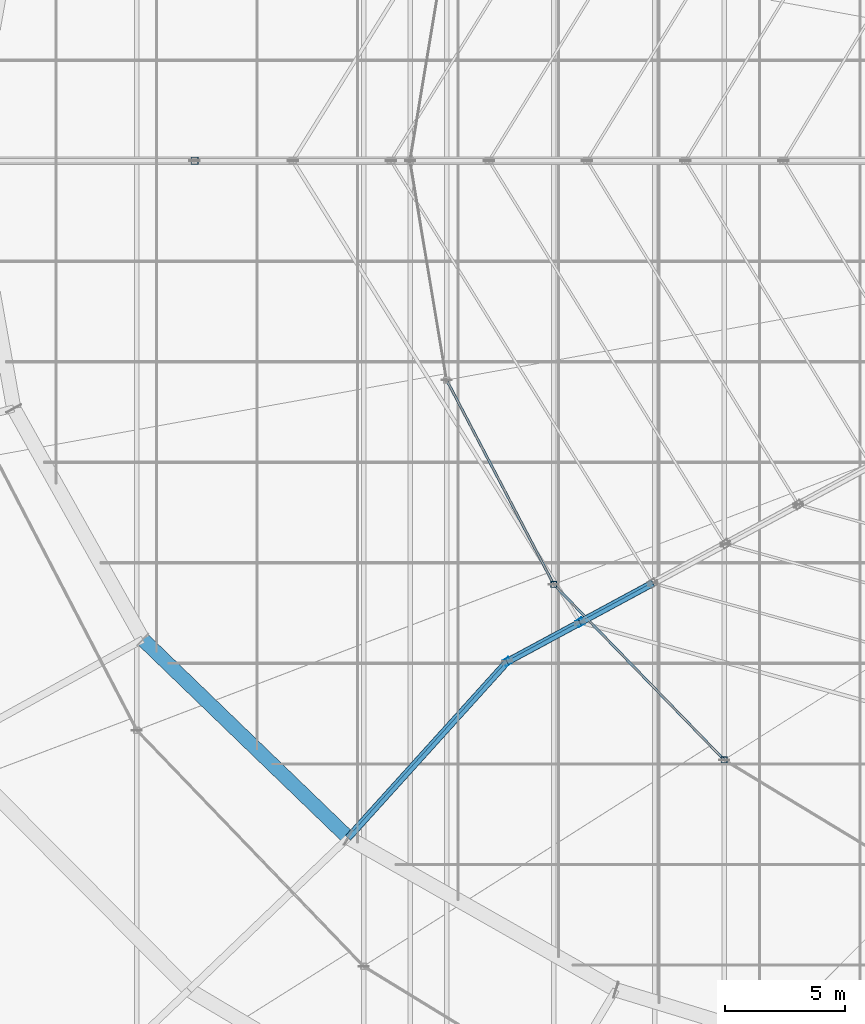
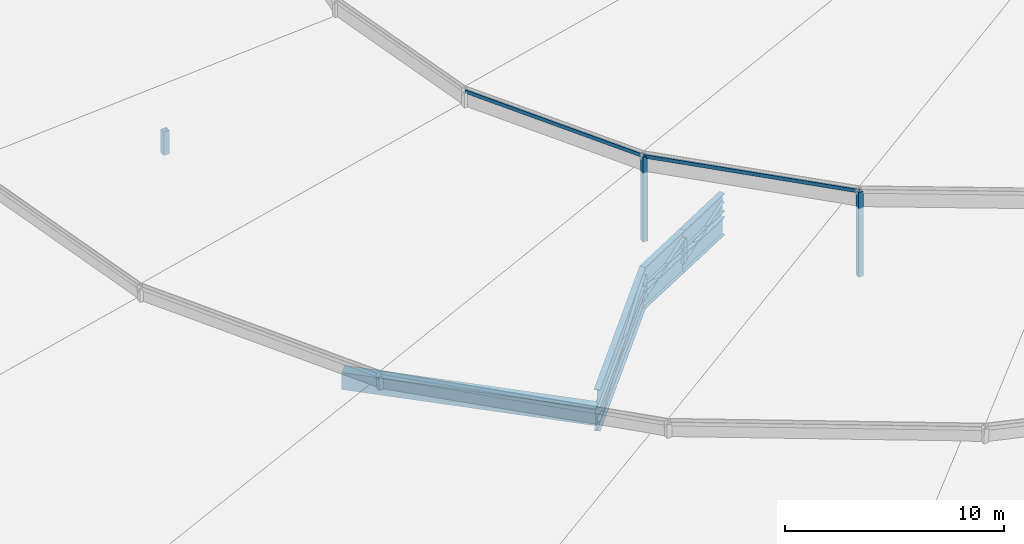
# One storey, part 9 of 184: 10 members, 7 beams.
"""IFC4 building model written with IfcOpenShell, lengths in metres."""

from ifc_helpers import new_model, si_unit, direction, frame, origin, origin_2d, place, context, subcontext, project, spatial, hollow_rectangle, i_section, extrude, material, material_profile, profile_set, type_object, element, save


model = new_model("IFC4")

# Units and contexts
model_context = context("Model", 3, precision=1e-05, world=origin(), true_north=direction((0.0, 1.0)))
body_context = subcontext(model_context, "Body", "Model", "MODEL_VIEW")
ifc_project = project(units=[si_unit("LENGTHUNIT", "METRE"), si_unit("AREAUNIT", "SQUARE_METRE"), si_unit("VOLUMEUNIT", "CUBIC_METRE"), si_unit("PLANEANGLEUNIT", "RADIAN"), si_unit("MASSUNIT", "GRAM", prefix="KILO")], contexts=[model_context])

# Site, building, storey
site_placement = place(None, origin())
site = spatial("IfcSite", under=ifc_project, at=site_placement, CompositionType="ELEMENT")
building_placement = place(site_placement, origin())
building = spatial("IfcBuilding", under=site, at=building_placement, Name="Kalgoora Escarpment Arena", CompositionType="ELEMENT")
storey_placement = place(building_placement, frame((0.0, 0.0, 27.60009765625)))
storey = spatial("IfcBuildingStorey", under=building, at=storey_placement, Name="Roof Level", CompositionType="ELEMENT", Elevation=27.60009765625)

# Beams
ifc_material_1 = material(Name="Structural steel Grade 350 (350 MPa)", Category="steel")
ifc_material_profile_1 = material_profile(ifc_material_1, hollow_rectangle(XDim=0.60009765625, YDim=0.949951171875, WallThickness=0.02490234375, at=origin_2d()))
ifc_profile_set_1 = profile_set([ifc_material_profile_1], Name="Structural steel Grade 350 (350 MPa)")
beam_type_1 = type_object("IfcBeamType", Name="BM-RING-BOX950", PredefinedType="USERDEFINED", material=ifc_profile_set_1)
beam_placement = place(storey_placement, frame((45.634521484375, 44.0, -1.25), z_axis=(0.719471992915, -0.694521454968, 0.0), x_axis=(0.694521454968, 0.719471992915, 0.0)))
element("IfcBeam", 1, at=beam_placement, inside=storey, type_object=beam_type_1, Name="Bowl compression RING BEAM chord 15", ObjectType="GIRDER", PredefinedType="USERDEFINED", context=body_context, shape_type="SweptSolid", body=[
    extrude(hollow_rectangle(XDim=0.60009765625, YDim=0.949951171875, WallThickness=0.02490234375, at=origin_2d()), origin(), (0.0, 0.0, 1.0), 11.927978515625),
])
ifc_material_2 = material(Name="Structural steel Grade 350 (350 MPa)", Category="steel")
ifc_material_profile_2 = material_profile(ifc_material_2, i_section(OverallWidth=0.300048828125, OverallDepth=1.010009765625, WebThickness=0.01611328125, FlangeThickness=0.030029296875, at=origin_2d()))
ifc_profile_set_2 = profile_set([ifc_material_profile_2], Name="Structural steel Grade 350 (350 MPa)")
beam_type_2 = type_object("IfcBeamType", Name="BM-TRUSS-CHORD", PredefinedType="USERDEFINED", material=ifc_profile_set_2)
for number, where, z_axis, x_axis, name in (
    (2, (54.208251953125, 35.706787109375, -1.7001953125), (0.670522582285, 0.741872022721, 0.005036720141), (-0.741881433009, 0.670531087539, 0.0), "Radial ROOF TRUSS spine 6 bottom chord 1"),
    (3, (54.208251953125, 35.706787109375, -0.400146484375), (0.670522582285, 0.741872022721, 0.005036720141), (-0.741881433009, 0.670531087539, 0.0), "Radial ROOF TRUSS spine 6 top chord 1"),
):
    element("IfcBeam", number, at=place(storey_placement, frame(where, z_axis=z_axis, x_axis=x_axis)), inside=storey, type_object=beam_type_2, Name=name, ObjectType="GIRDER", PredefinedType="USERDEFINED", context=body_context, shape_type="SweptSolid", body=[
        extrude(i_section(OverallWidth=0.300048828125, OverallDepth=1.010009765625, WebThickness=0.01611328125, FlangeThickness=0.030029296875, at=origin_2d()), origin(), (0.0, 0.0, 1.0), 9.936767578125),
    ])
for number, where, z_axis, x_axis, name in (
    (4, (60.852294921875, 43.06396484375, -1.650146484375), (0.880037048235, 0.474902749111, 0.001473981338), (-0.474903265004, 0.88003800423, 0.0), "Radial ROOF TRUSS spine 6 bottom chord 2"),
    (5, (60.852294921875, 43.06396484375, -0.35009765625), (0.880034360193, 0.474901298538, 0.002877764298), (-0.474903265004, 0.88003800423, 0.0), "Radial ROOF TRUSS spine 6 top chord 2"),
    (6, (63.89208984375, 44.704345703125, -1.64501953125), (0.880037137114, 0.474902797074, 0.001403791892), (-0.474903265004, 0.88003800423, 0.0), "Radial ROOF TRUSS spine 6 bottom chord 3"),
    (7, (63.89208984375, 44.704345703125, -0.340087890625), (0.880034360193, 0.474901298538, 0.002877764298), (-0.474903265004, 0.88003800423, 0.0), "Radial ROOF TRUSS spine 6 top chord 3"),
):
    element("IfcBeam", number, at=place(storey_placement, frame(where, z_axis=z_axis, x_axis=x_axis)), inside=storey, type_object=beam_type_2, Name=name, ObjectType="GIRDER", PredefinedType="USERDEFINED", context=body_context, shape_type="SweptSolid", body=[
        extrude(i_section(OverallWidth=0.300048828125, OverallDepth=1.010009765625, WebThickness=0.01611328125, FlangeThickness=0.030029296875, at=origin_2d()), origin(), (0.0, 0.0, 1.0), 3.478271484375),
    ])

# Members
ifc_material_3 = material(Name="Structural steel C450 (450 MPa)", Category="steel")
ifc_material_profile_3 = material_profile(ifc_material_3, hollow_rectangle(XDim=0.25, YDim=0.25, WallThickness=0.012451171875, at=origin_2d()))
ifc_profile_set_3 = profile_set([ifc_material_profile_3], Name="Structural steel C450 (450 MPa)")
member_type_1 = type_object("IfcMemberType", Name="MEM-PETAL-POST", PredefinedType="POST", material=ifc_profile_set_3)
for number, where, z_axis, x_axis, name in (
    (8, (62.802001953125, 46.300048828125, -1.02001953125), (0.0, 0.0, 1.0), (1.0, 0.0, 0.0), "Petal RP3 vertical support post S15"),
    (9, (69.921630859375, 38.968505859375, -1.02001953125), (0.0, 0.0, 1.0), (1.0, 0.0, 0.0), "Petal RP3 vertical support post S16"),
):
    element("IfcMember", number, at=place(storey_placement, frame(where, z_axis=z_axis, x_axis=x_axis)), inside=storey, type_object=member_type_1, Name=name, PredefinedType="POST", context=body_context, shape_type="SweptSolid", body=[
        extrude(hollow_rectangle(XDim=0.25, YDim=0.25, WallThickness=0.012451171875, at=origin_2d()), origin(), (0.0, 0.0, 1.0), 4.724853515625),
    ])
ifc_material_4 = material(Name="Structural steel C350 (350 MPa)", Category="steel")
ifc_material_profile_4 = material_profile(ifc_material_4, hollow_rectangle(XDim=0.10009765625, YDim=0.199951171875, WallThickness=0.009033203125, at=origin_2d()))
ifc_profile_set_4 = profile_set([ifc_material_profile_4], Name="Structural steel C350 (350 MPa)")
member_type_2 = type_object("IfcMemberType", Name="MEM-PURLIN-RHS", PredefinedType="PURLIN", material=ifc_profile_set_4)
member_1_placement = place(storey_placement, frame((58.326416015625, 54.837890625, 3.684814453125), z_axis=(0.464282362336, -0.885687240522, 0.0), x_axis=(0.885687240522, 0.464282362336, 0.0)))
element("IfcMember", 10, at=member_1_placement, inside=storey, type_object=member_type_2, Name="Petal RP3 eave support ring purlin S14", PredefinedType="PURLIN", context=body_context, shape_type="SweptSolid", body=[
    extrude(hollow_rectangle(XDim=0.10009765625, YDim=0.199951171875, WallThickness=0.009033203125, at=origin_2d()), origin(), (0.0, 0.0, 1.0), 9.639892578125),
])
member_2_placement = place(storey_placement, frame((62.802001953125, 46.300048828125, 3.684814453125), z_axis=(0.696662765514, -0.717398767176, 0.0), x_axis=(0.717398767176, 0.696662765514, 0.0)))
element("IfcMember", 11, at=member_2_placement, inside=storey, type_object=member_type_2, Name="Petal RP3 eave support ring purlin S15", PredefinedType="PURLIN", context=body_context, shape_type="SweptSolid", body=[
    extrude(hollow_rectangle(XDim=0.10009765625, YDim=0.199951171875, WallThickness=0.009033203125, at=origin_2d()), origin(), (0.0, 0.0, 1.0), 10.2197265625),
])
ifc_material_5 = material(Name="Structural steel C350 (350 MPa)", Category="steel")
ifc_material_profile_5 = material_profile(ifc_material_5, hollow_rectangle(XDim=0.199951171875, YDim=0.199951171875, WallThickness=0.009033203125, at=origin_2d()))
ifc_profile_set_5 = profile_set([ifc_material_profile_5], Name="Structural steel C350 (350 MPa)")
member_type_3 = type_object("IfcMemberType", Name="MEM-TRUSS-DIAG", PredefinedType="BRACE", material=ifc_profile_set_5)
member_3_placement = place(storey_placement, frame((54.21630859375, 35.7158203125, -1.7001953125), z_axis=(0.664408647738, 0.735083668632, 0.134956099981), x_axis=(-0.67335044783, 0.51041409162, 0.534861317991)))
element("IfcMember", 12, at=member_3_placement, inside=storey, type_object=member_type_3, Name="Radial ROOF TRUSS spine 6 web diagonal 1", PredefinedType="BRACE", context=body_context, shape_type="SweptSolid", body=[
    extrude(hollow_rectangle(XDim=0.199951171875, YDim=0.199951171875, WallThickness=0.009033203125, at=origin_2d()), origin(), (0.0, 0.0, 1.0), 10.00390625),
])
member_4_placement = place(storey_placement, frame((60.863037109375, 43.069580078125, -1.650146484375), z_axis=(0.822800263082, 0.44411387694, 0.354630217807), x_axis=(-0.568295685834, 0.649847314639, 0.504716238215)))
element("IfcMember", 13, at=member_4_placement, inside=storey, type_object=member_type_3, Name="Radial ROOF TRUSS spine 6 web diagonal 2", PredefinedType="BRACE", context=body_context, shape_type="SweptSolid", body=[
    extrude(hollow_rectangle(XDim=0.199951171875, YDim=0.199951171875, WallThickness=0.009033203125, at=origin_2d()), origin(), (0.0, 0.0, 1.0), 3.694091796875),
])
member_5_placement = place(storey_placement, frame((63.902587890625, 44.710205078125, -1.64501953125), z_axis=(0.822459627826, 0.443828306109, 0.35577604654), x_axis=(-0.568777767438, 0.649608003011, 0.504481212428)))
element("IfcMember", 14, at=member_5_placement, inside=storey, type_object=member_type_3, Name="Radial ROOF TRUSS spine 6 web diagonal 3", PredefinedType="BRACE", context=body_context, shape_type="SweptSolid", body=[
    extrude(hollow_rectangle(XDim=0.199951171875, YDim=0.199951171875, WallThickness=0.009033203125, at=origin_2d()), origin(), (0.0, 0.0, 1.0), 3.696044921875),
])
ifc_material_6 = material(Name="Structural steel C450 (450 MPa)", Category="steel")
ifc_material_profile_6 = material_profile(ifc_material_6, hollow_rectangle(XDim=0.300048828125, YDim=0.300048828125, WallThickness=0.012451171875, at=origin_2d()))
ifc_profile_set_6 = profile_set([ifc_material_profile_6], Name="Structural steel C450 (450 MPa)")
member_type_4 = type_object("IfcMemberType", Name="MEM-TRUSS-POST", PredefinedType="POST", material=ifc_profile_set_6)
for number, where, z_axis, x_axis, name in (
    (15, (47.800048828125, 64.0, -1.650146484375), (0.0, 0.0, 1.0), (1.0, 0.0, 0.0), "Radial ROOF TRUSS spine 5 post 1"),
    (16, (60.863037109375, 43.069580078125, -1.650146484375), (0.0, 0.0, 1.0), (0.84179353575, 0.539799632428, 0.0), "Radial ROOF TRUSS spine 6 post 1"),
):
    element("IfcMember", number, at=place(storey_placement, frame(where, z_axis=z_axis, x_axis=x_axis)), inside=storey, type_object=member_type_4, Name=name, PredefinedType="POST", context=body_context, shape_type="SweptSolid", body=[
        extrude(hollow_rectangle(XDim=0.300048828125, YDim=0.300048828125, WallThickness=0.012451171875, at=origin_2d()), origin(), (0.0, 0.0, 1.0), 1.300048828125),
    ])
member_6_placement = place(storey_placement, frame((63.902587890625, 44.710205078125, -1.64501953125), z_axis=(0.0, 0.0, 1.0), x_axis=(0.84179353575, 0.539799632428, 0.0)))
element("IfcMember", 17, at=member_6_placement, inside=storey, type_object=member_type_4, Name="Radial ROOF TRUSS spine 6 post 2", PredefinedType="POST", context=body_context, shape_type="SweptSolid", body=[
    extrude(hollow_rectangle(XDim=0.300048828125, YDim=0.300048828125, WallThickness=0.012451171875, at=origin_2d()), origin(), (0.0, 0.0, 1.0), 1.304931640625),
])

save(model, "model.ifc")
